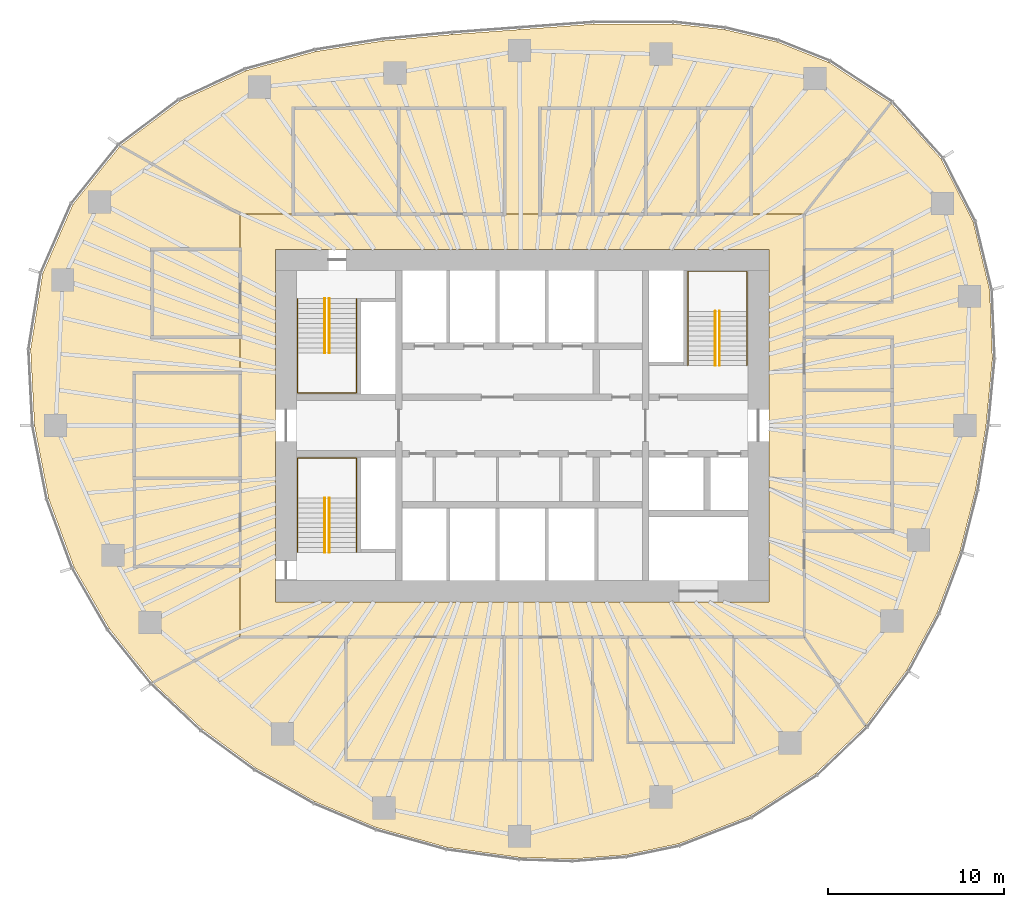
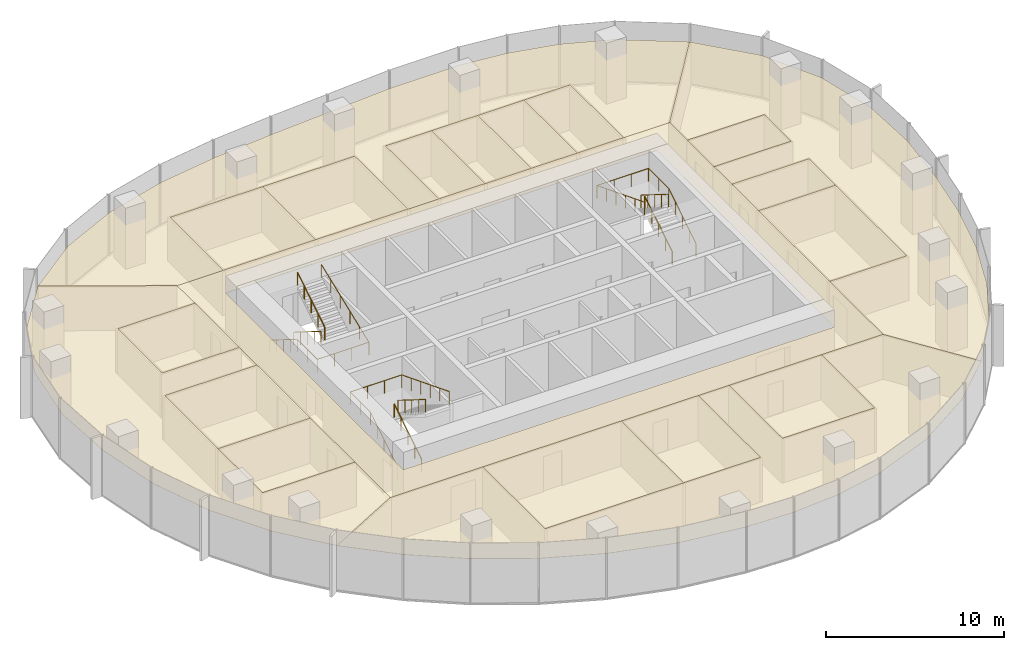
# One storey, part 11 of 11: 20 coverings, 9 railings.
"""IFC4 building model written with IfcOpenShell, lengths in metres."""

from ifc_helpers import new_model, si_unit, direction, frame, origin, origin_2d, place, context, subcontext, project, spatial, polyline, circle, outline, extrude, material, layer, layer_set, type_object, element, save


model = new_model("IFC4")

# Units and contexts
model_context = context("Model", 3, precision=1e-05, world=origin(), true_north=direction((0.0, 1.0)))
body_context = subcontext(model_context, "Body", "Model", "MODEL_VIEW")
ifc_project = project(units=[si_unit("LENGTHUNIT", "METRE"), si_unit("AREAUNIT", "SQUARE_METRE"), si_unit("VOLUMEUNIT", "CUBIC_METRE"), si_unit("PLANEANGLEUNIT", "RADIAN"), si_unit("MASSUNIT", "GRAM", prefix="KILO")], contexts=[model_context])

# Site, building, storey
site_placement = place(None, origin())
site = spatial("IfcSite", under=ifc_project, at=site_placement, CompositionType="ELEMENT")
building_placement = place(site_placement, origin())
building = spatial("IfcBuilding", under=site, at=building_placement, Name="Ghaith Harvest Tower", CompositionType="ELEMENT")
storey_placement = place(building_placement, frame((0.0, 0.0, 220.0)))
storey = spatial("IfcBuildingStorey", under=building, at=storey_placement, Name="L48", CompositionType="ELEMENT", Elevation=220.0)

# Coverings
ifc_material_1 = material(Name="Mineral fibre ceiling tile", Category="gypsum")
ifc_layer = layer(ifc_material_1, 0.02001953125)
ifc_layer_set = layer_set([ifc_layer], Name="CEILING C1")
covering_type = type_object("IfcCoveringType", Name="CEILING C1", PredefinedType="CEILING", material=ifc_layer_set)
covering_1_placement = place(storey_placement, frame((0.0, 0.0, 3.0)))
element("IfcCovering", 1, at=covering_1_placement, inside=storey, type_object=covering_type, Name="Ceiling L48-01", PredefinedType="CEILING", context=body_context, shape_type="SweptSolid", body=[
    extrude(outline(polyline([(-13.0, 12.0), (-7.0, 12.0), (-7.0, 18.0), (-13.0, 18.0), (-13.0, 12.0)])), origin(), (0.0, 0.0, 1.0), 0.02001953125),
])
covering_2_placement = place(storey_placement, frame((0.0, 0.0, 3.0)))
element("IfcCovering", 2, at=covering_2_placement, inside=storey, type_object=covering_type, Name="Ceiling L48-02", PredefinedType="CEILING", context=body_context, shape_type="SweptSolid", body=[
    extrude(outline(polyline([(-7.0, 12.0), (-1.0, 12.0), (-1.0, 18.0), (-7.0, 18.0), (-7.0, 12.0)])), origin(), (0.0, 0.0, 1.0), 0.02001953125),
])
covering_3_placement = place(storey_placement, frame((0.0, 0.0, 3.0)))
element("IfcCovering", 3, at=covering_3_placement, inside=storey, type_object=covering_type, Name="Ceiling L48-03", PredefinedType="CEILING", context=body_context, shape_type="SweptSolid", body=[
    extrude(outline(polyline([(1.0, 12.0), (4.0, 12.0), (4.0, 18.0), (1.0, 18.0), (1.0, 12.0)])), origin(), (0.0, 0.0, 1.0), 0.02001953125),
])
covering_4_placement = place(storey_placement, frame((0.0, 0.0, 3.0)))
element("IfcCovering", 4, at=covering_4_placement, inside=storey, type_object=covering_type, Name="Ceiling L48-04", PredefinedType="CEILING", context=body_context, shape_type="SweptSolid", body=[
    extrude(outline(polyline([(4.0, 12.0), (7.0, 12.0), (7.0, 18.0), (4.0, 18.0), (4.0, 12.0)])), origin(), (0.0, 0.0, 1.0), 0.02001953125),
])
covering_5_placement = place(storey_placement, frame((0.0, 0.0, 3.0)))
element("IfcCovering", 5, at=covering_5_placement, inside=storey, type_object=covering_type, Name="Ceiling L48-05", PredefinedType="CEILING", context=body_context, shape_type="SweptSolid", body=[
    extrude(outline(polyline([(7.0, 12.0), (10.0, 12.0), (10.0, 18.0), (7.0, 18.0), (7.0, 12.0)])), origin(), (0.0, 0.0, 1.0), 0.02001953125),
])
covering_6_placement = place(storey_placement, frame((0.0, 0.0, 3.0)))
element("IfcCovering", 6, at=covering_6_placement, inside=storey, type_object=covering_type, Name="Ceiling L48-06", PredefinedType="CEILING", context=body_context, shape_type="SweptSolid", body=[
    extrude(outline(polyline([(10.0, 12.0), (13.0, 12.0), (13.0, 18.0), (10.0, 18.0), (10.0, 12.0)])), origin(), (0.0, 0.0, 1.0), 0.02001953125),
])
covering_7_placement = place(storey_placement, frame((0.0, 0.0, 3.0)))
element("IfcCovering", 7, at=covering_7_placement, inside=storey, type_object=covering_type, Name="Ceiling L48-07", PredefinedType="CEILING", context=body_context, shape_type="SweptSolid", body=[
    extrude(outline(polyline([(-10.0, -19.0), (-1.0, -19.0), (-1.0, -12.0), (-10.0, -12.0), (-10.0, -19.0)])), origin(), (0.0, 0.0, 1.0), 0.02001953125),
])
covering_8_placement = place(storey_placement, frame((0.0, 0.0, 3.0)))
element("IfcCovering", 8, at=covering_8_placement, inside=storey, type_object=covering_type, Name="Ceiling L48-08", PredefinedType="CEILING", context=body_context, shape_type="SweptSolid", body=[
    extrude(outline(polyline([(-1.0, -19.0), (4.0, -19.0), (4.0, -12.0), (-1.0, -12.0), (-1.0, -19.0)])), origin(), (0.0, 0.0, 1.0), 0.02001953125),
])
covering_9_placement = place(storey_placement, frame((0.0, 0.0, 3.0)))
element("IfcCovering", 9, at=covering_9_placement, inside=storey, type_object=covering_type, Name="Ceiling L48-09", PredefinedType="CEILING", context=body_context, shape_type="SweptSolid", body=[
    extrude(outline(polyline([(6.0, -18.0), (12.0, -18.0), (12.0, -12.0), (6.0, -12.0), (6.0, -18.0)])), origin(), (0.0, 0.0, 1.0), 0.02001953125),
])
covering_10_placement = place(storey_placement, frame((0.0, 0.0, 3.0)))
element("IfcCovering", 10, at=covering_10_placement, inside=storey, type_object=covering_type, Name="Ceiling L48-10", PredefinedType="CEILING", context=body_context, shape_type="SweptSolid", body=[
    extrude(outline(polyline([(16.0, -6.0), (21.0, -6.0), (21.0, 2.0), (16.0, 2.0), (16.0, -6.0)])), origin(), (0.0, 0.0, 1.0), 0.02001953125),
])
covering_11_placement = place(storey_placement, frame((0.0, 0.0, 3.0)))
element("IfcCovering", 11, at=covering_11_placement, inside=storey, type_object=covering_type, Name="Ceiling L48-11", PredefinedType="CEILING", context=body_context, shape_type="SweptSolid", body=[
    extrude(outline(polyline([(16.0, 2.0), (21.0, 2.0), (21.0, 5.0), (16.0, 5.0), (16.0, 2.0)])), origin(), (0.0, 0.0, 1.0), 0.02001953125),
])
covering_12_placement = place(storey_placement, frame((0.0, 0.0, 3.0)))
element("IfcCovering", 12, at=covering_12_placement, inside=storey, type_object=covering_type, Name="Ceiling L48-12", PredefinedType="CEILING", context=body_context, shape_type="SweptSolid", body=[
    extrude(outline(polyline([(-22.0, -8.0), (-16.0, -8.0), (-16.0, -3.0), (-22.0, -3.0), (-22.0, -8.0)])), origin(), (0.0, 0.0, 1.0), 0.02001953125),
])
covering_13_placement = place(storey_placement, frame((0.0, 0.0, 3.0)))
element("IfcCovering", 13, at=covering_13_placement, inside=storey, type_object=covering_type, Name="Ceiling L48-13", PredefinedType="CEILING", context=body_context, shape_type="SweptSolid", body=[
    extrude(outline(polyline([(-22.0, -3.0), (-16.0, -3.0), (-16.0, 3.0), (-22.0, 3.0), (-22.0, -3.0)])), origin(), (0.0, 0.0, 1.0), 0.02001953125),
])
covering_14_placement = place(storey_placement, frame((0.0, 0.0, 3.0)))
element("IfcCovering", 14, at=covering_14_placement, inside=storey, type_object=covering_type, Name="Ceiling L48-14", PredefinedType="CEILING", context=body_context, shape_type="SweptSolid", body=[
    extrude(outline(polyline([(16.0, 7.0), (21.0, 7.0), (21.0, 10.0), (16.0, 10.0), (16.0, 7.0)])), origin(), (0.0, 0.0, 1.0), 0.02001953125),
])
covering_15_placement = place(storey_placement, frame((0.0, 0.0, 3.0)))
element("IfcCovering", 15, at=covering_15_placement, inside=storey, type_object=covering_type, Name="Ceiling L48-15", PredefinedType="CEILING", context=body_context, shape_type="SweptSolid", body=[
    extrude(outline(polyline([(-21.0, 5.0), (-16.0, 5.0), (-16.0, 10.0), (-21.0, 10.0), (-21.0, 5.0)])), origin(), (0.0, 0.0, 1.0), 0.02001953125),
])
covering_16_placement = place(storey_placement, frame((0.0, 0.0, 3.0)))
element("IfcCovering", 16, at=covering_16_placement, inside=storey, type_object=covering_type, Name="Ceiling L48-C1", PredefinedType="CEILING", context=body_context, shape_type="SweptSolid", body=[
    extrude(outline(polyline([(-16.0, 12.0), (16.0, 12.0), (16.0, -12.0), (-16.0, -12.0), (-16.0, 12.0)]), holes=[polyline([(14.0, -10.0), (14.0, 10.0), (-14.0, 10.0), (-14.0, -10.0), (14.0, -10.0)])]), origin(), (0.0, 0.0, 1.0), 0.02001953125),
])
covering_17_placement = place(storey_placement, frame((0.0, 0.0, 3.0)))
element("IfcCovering", 17, at=covering_17_placement, inside=storey, type_object=covering_type, Name="Ceiling L48-N1", PredefinedType="CEILING", context=body_context, shape_type="SweptSolid", body=[
    extrude(outline(polyline([(-19.408203125, 18.41650390625), (-15.6474609375, 20.147705078125), (-11.694580078125, 21.2314453125), (-7.8837890625, 21.827880859375), (-3.963134765625, 22.192138671875), (-0.15380859375, 22.470458984375), (4.03857421875, 22.78125), (8.522216796875, 22.796875), (11.47265625, 22.47265625), (14.460693359375, 21.771484375), (17.382080078125, 20.612548828125), (20.923095703125, 18.295166015625), (16.0, 12.0), (13.0, 12.0), (13.0, 18.0), (1.0, 18.0), (1.0, 12.0), (-1.0, 12.0), (-1.0, 18.0), (-13.0, 18.0), (-13.0, 12.0), (-16.0, 12.0), (-22.809814453125, 15.87109375), (-19.408203125, 18.41650390625)])), origin(), (0.0, 0.0, 1.0), 0.02001953125),
])
covering_18_placement = place(storey_placement, frame((0.0, 0.0, 3.0)))
element("IfcCovering", 18, at=covering_18_placement, inside=storey, type_object=covering_type, Name="Ceiling L48-E1", PredefinedType="CEILING", context=body_context, shape_type="SweptSolid", body=[
    extrude(outline(polyline([(23.77294921875, 15.12939453125), (25.597900390625, 11.55615234375), (26.531005859375, 7.668212890625), (26.685791015625, 3.779052734375), (26.324951171875, 0.0), (25.734375, -3.644287109375), (24.840576171875, -7.179443359375), (23.548828125, -10.631103515625), (21.821533203125, -13.887451171875), (19.48388671875, -17.036865234375), (16.0, -12.0), (16.0, -6.0), (21.0, -6.0), (21.0, 5.0), (16.0, 5.0), (16.0, 7.0), (21.0, 7.0), (21.0, 10.0), (16.0, 10.0), (16.0, 12.0), (20.923095703125, 18.295166015625), (23.77294921875, 15.12939453125)])), origin(), (0.0, 0.0, 1.0), 0.02001953125),
])
covering_19_placement = place(storey_placement, frame((0.0, 0.0, 3.0)))
element("IfcCovering", 19, at=covering_19_placement, inside=storey, type_object=covering_type, Name="Ceiling L48-S1", PredefinedType="CEILING", context=body_context, shape_type="SweptSolid", body=[
    extrude(outline(polyline([(16.651611328125, -19.746337890625), (12.949462890625, -22.1435546875), (8.8740234375, -23.73779296875), (5.865234375, -24.3662109375), (2.833984375, -24.602294921875), (-0.167724609375, -24.505126953125), (-4.27490234375, -23.9375), (-8.2451171875, -22.82861328125), (-11.75732421875, -21.345703125), (-15.10400390625, -19.447998046875), (-18.15087890625, -17.223388671875), (-20.963134765625, -14.586181640625), (-16.0, -12.0), (-10.0, -12.0), (-10.0, -19.0), (4.0, -19.0), (4.0, -12.0), (6.0, -12.0), (6.0, -18.0), (12.0, -18.0), (12.0, -12.0), (16.0, -12.0), (19.48388671875, -17.036865234375), (16.651611328125, -19.746337890625)])), origin(), (0.0, 0.0, 1.0), 0.02001953125),
])
covering_20_placement = place(storey_placement, frame((0.0, 0.0, 3.0)))
element("IfcCovering", 20, at=covering_20_placement, inside=storey, type_object=covering_type, Name="Ceiling L48-W1", PredefinedType="CEILING", context=body_context, shape_type="SweptSolid", body=[
    extrude(outline(polyline([(-23.425537109375, -11.530517578125), (-25.424072265625, -8.057373046875), (-26.86669921875, -4.155517578125), (-27.675048828125, 0.0), (-27.897216796875, 4.314697265625), (-27.211181640625, 8.623779296875), (-25.491943359375, 12.547607421875), (-22.809814453125, 15.87109375), (-16.0, 12.0), (-16.0, 10.0), (-21.0, 10.0), (-21.0, 5.0), (-16.0, 5.0), (-16.0, 3.0), (-22.0, 3.0), (-22.0, -8.0), (-16.0, -8.0), (-16.0, -12.0), (-20.963134765625, -14.586181640625), (-23.425537109375, -11.530517578125)])), origin(), (0.0, 0.0, 1.0), 0.02001953125),
])

# Railings
ifc_material_2 = material(Name="Steel, black powder-coated", Category="steel")
railing_type = type_object("IfcRailingType", Name="HANDRAIL HR1", PredefinedType="HANDRAIL", material=ifc_material_2)
railing_1_placement = place(storey_placement, frame((-11.199951171875, 7.199951171875, 0.175048828125)))
element("IfcRailing", 21, at=railing_1_placement, inside=storey, type_object=railing_type, Name="Handrail HR1 stair ST1 L48 flight 1 inner", PredefinedType="HANDRAIL", context=body_context, shape_type="SweptSolid", body=[
    extrude(circle(Radius=0.02392578125, at=origin_2d()), frame((0.0, 0.0, 0.8759765625), z_axis=(0.0, -0.847979421464, 0.530029150871), x_axis=(1.0, 0.0, 0.0)), (0.0, 0.0, 1.0), 3.632080078125),
    extrude(circle(Radius=0.02099609375, at=origin_2d()), origin(), (0.0, 0.0, 1.0), 0.851806640625),
    extrude(circle(Radius=0.02099609375, at=origin_2d()), frame((0.0, -0.77001953125, 0.481201171875)), (0.0, 0.0, 1.0), 0.851806640625),
    extrude(circle(Radius=0.02099609375, at=origin_2d()), frame((0.0, -1.5400390625, 0.96240234375)), (0.0, 0.0, 1.0), 0.851806640625),
    extrude(circle(Radius=0.02099609375, at=origin_2d()), frame((0.0, -2.309814453125, 1.44384765625)), (0.0, 0.0, 1.0), 0.851806640625),
    extrude(circle(Radius=0.02099609375, at=origin_2d()), frame((0.0, -3.079833984375, 1.925048828125)), (0.0, 0.0, 1.0), 0.851806640625),
])
railing_2_placement = place(storey_placement, frame((-10.949951171875, 4.1201171875, 2.27490234375)))
element("IfcRailing", 22, at=railing_2_placement, inside=storey, type_object=railing_type, Name="Handrail HR1 stair ST1 L48 flight 2 inner", PredefinedType="HANDRAIL", context=body_context, shape_type="SweptSolid", body=[
    extrude(circle(Radius=0.02392578125, at=origin_2d()), frame((0.0, 0.0, 0.8759765625), z_axis=(0.0, 0.847979421464, 0.530029150871), x_axis=(-1.0, 0.0, 0.0)), (0.0, 0.0, 1.0), 3.632080078125),
    extrude(circle(Radius=0.02099609375, at=origin_2d()), origin(), (0.0, 0.0, 1.0), 0.851806640625),
    extrude(circle(Radius=0.02099609375, at=origin_2d()), frame((0.0, 0.77001953125, 0.481201171875)), (0.0, 0.0, 1.0), 0.851806640625),
    extrude(circle(Radius=0.02099609375, at=origin_2d()), frame((0.0, 1.5400390625, 0.96240234375)), (0.0, 0.0, 1.0), 0.851806640625),
    extrude(circle(Radius=0.02099609375, at=origin_2d()), frame((0.0, 2.309814453125, 1.44384765625)), (0.0, 0.0, 1.0), 0.851806640625),
    extrude(circle(Radius=0.02099609375, at=origin_2d()), frame((0.0, 3.079833984375, 1.925048828125)), (0.0, 0.0, 1.0), 0.851806640625),
])
railing_3_placement = place(storey_placement, frame((-12.75, 7.199951171875, 0.175048828125)))
element("IfcRailing", 23, at=railing_3_placement, inside=storey, type_object=railing_type, Name="Handrail HR1 stair ST1 L48 wall side", PredefinedType="HANDRAIL", context=body_context, shape_type="SweptSolid", body=[
    extrude(circle(Radius=0.02392578125, at=origin_2d()), frame((0.0, 0.0, 0.8759765625), z_axis=(0.0, -0.847979421464, 0.530029150871), x_axis=(1.0, 0.0, 0.0)), (0.0, 0.0, 1.0), 3.632080078125),
    extrude(circle(Radius=0.02392578125, at=origin_2d()), frame((0.0, -3.079833984375, 2.80078125), z_axis=(0.0, -1.0, 0.0), x_axis=(1.0, 0.0, 0.0)), (0.0, 0.0, 1.0), 2.27001953125),
    extrude(circle(Radius=0.02392578125, at=origin_2d()), frame((0.0, -5.349853515625, 2.80078125), z_axis=(1.0, 0.0, 0.0), x_axis=(0.0, 1.0, 0.0)), (0.0, 0.0, 1.0), 3.35009765625),
    extrude(circle(Radius=0.02392578125, at=origin_2d()), frame((3.35009765625, -5.349853515625, 2.80078125), z_axis=(0.0, 0.930862461605, 0.365369781968), x_axis=(-1.0, 0.0, 0.0)), (0.0, 0.0, 1.0), 5.747314453125),
    extrude(circle(Radius=0.02099609375, at=origin_2d()), origin(), (0.0, 0.0, 1.0), 0.851806640625),
    extrude(circle(Radius=0.02099609375, at=origin_2d()), frame((0.0, -0.77001953125, 0.481201171875)), (0.0, 0.0, 1.0), 0.851806640625),
    extrude(circle(Radius=0.02099609375, at=origin_2d()), frame((0.0, -1.5400390625, 0.96240234375)), (0.0, 0.0, 1.0), 0.851806640625),
    extrude(circle(Radius=0.02099609375, at=origin_2d()), frame((0.0, -2.309814453125, 1.44384765625)), (0.0, 0.0, 1.0), 0.851806640625),
    extrude(circle(Radius=0.02099609375, at=origin_2d()), frame((0.0, -3.079833984375, 1.925048828125)), (0.0, 0.0, 1.0), 0.851806640625),
    extrude(circle(Radius=0.02099609375, at=origin_2d()), frame((0.0, -4.21484375, 1.925048828125)), (0.0, 0.0, 1.0), 0.851806640625),
    extrude(circle(Radius=0.02099609375, at=origin_2d()), frame((0.0, -5.349853515625, 1.925048828125)), (0.0, 0.0, 1.0), 0.851806640625),
    extrude(circle(Radius=0.02099609375, at=origin_2d()), frame((1.11669921875, -5.349853515625, 1.925048828125)), (0.0, 0.0, 1.0), 0.851806640625),
    extrude(circle(Radius=0.02099609375, at=origin_2d()), frame((2.2333984375, -5.349853515625, 1.925048828125)), (0.0, 0.0, 1.0), 0.851806640625),
    extrude(circle(Radius=0.02099609375, at=origin_2d()), frame((3.35009765625, -5.349853515625, 1.925048828125)), (0.0, 0.0, 1.0), 0.851806640625),
    extrude(circle(Radius=0.02099609375, at=origin_2d()), frame((3.35009765625, -4.27978515625, 2.344970703125)), (0.0, 0.0, 1.0), 0.851806640625),
    extrude(circle(Radius=0.02099609375, at=origin_2d()), frame((3.35009765625, -3.2099609375, 2.764892578125)), (0.0, 0.0, 1.0), 0.851806640625),
    extrude(circle(Radius=0.02099609375, at=origin_2d()), frame((3.35009765625, -2.139892578125, 3.18505859375)), (0.0, 0.0, 1.0), 0.851806640625),
    extrude(circle(Radius=0.02099609375, at=origin_2d()), frame((3.35009765625, -1.070068359375, 3.60498046875)), (0.0, 0.0, 1.0), 0.851806640625),
    extrude(circle(Radius=0.02099609375, at=origin_2d()), frame((3.35009765625, 0.0, 4.02490234375)), (0.0, 0.0, 1.0), 0.851806640625),
])
railing_4_placement = place(storey_placement, frame((-11.199951171875, -7.199951171875, 0.175048828125)))
element("IfcRailing", 24, at=railing_4_placement, inside=storey, type_object=railing_type, Name="Handrail HR1 stair ST3 L48 flight 1 inner", PredefinedType="HANDRAIL", context=body_context, shape_type="SweptSolid", body=[
    extrude(circle(Radius=0.02392578125, at=origin_2d()), frame((0.0, 0.0, 0.8759765625), z_axis=(0.0, 0.847979421464, 0.530029150871), x_axis=(-1.0, 0.0, 0.0)), (0.0, 0.0, 1.0), 3.632080078125),
    extrude(circle(Radius=0.02099609375, at=origin_2d()), origin(), (0.0, 0.0, 1.0), 0.851806640625),
    extrude(circle(Radius=0.02099609375, at=origin_2d()), frame((0.0, 0.77001953125, 0.481201171875)), (0.0, 0.0, 1.0), 0.851806640625),
    extrude(circle(Radius=0.02099609375, at=origin_2d()), frame((0.0, 1.5400390625, 0.96240234375)), (0.0, 0.0, 1.0), 0.851806640625),
    extrude(circle(Radius=0.02099609375, at=origin_2d()), frame((0.0, 2.309814453125, 1.44384765625)), (0.0, 0.0, 1.0), 0.851806640625),
    extrude(circle(Radius=0.02099609375, at=origin_2d()), frame((0.0, 3.079833984375, 1.925048828125)), (0.0, 0.0, 1.0), 0.851806640625),
])
railing_5_placement = place(storey_placement, frame((-10.949951171875, -4.1201171875, 2.27490234375)))
element("IfcRailing", 25, at=railing_5_placement, inside=storey, type_object=railing_type, Name="Handrail HR1 stair ST3 L48 flight 2 inner", PredefinedType="HANDRAIL", context=body_context, shape_type="SweptSolid", body=[
    extrude(circle(Radius=0.02392578125, at=origin_2d()), frame((0.0, 0.0, 0.8759765625), z_axis=(0.0, -0.847979421464, 0.530029150871), x_axis=(1.0, 0.0, 0.0)), (0.0, 0.0, 1.0), 3.632080078125),
    extrude(circle(Radius=0.02099609375, at=origin_2d()), origin(), (0.0, 0.0, 1.0), 0.851806640625),
    extrude(circle(Radius=0.02099609375, at=origin_2d()), frame((0.0, -0.77001953125, 0.481201171875)), (0.0, 0.0, 1.0), 0.851806640625),
    extrude(circle(Radius=0.02099609375, at=origin_2d()), frame((0.0, -1.5400390625, 0.96240234375)), (0.0, 0.0, 1.0), 0.851806640625),
    extrude(circle(Radius=0.02099609375, at=origin_2d()), frame((0.0, -2.309814453125, 1.44384765625)), (0.0, 0.0, 1.0), 0.851806640625),
    extrude(circle(Radius=0.02099609375, at=origin_2d()), frame((0.0, -3.079833984375, 1.925048828125)), (0.0, 0.0, 1.0), 0.851806640625),
])
railing_6_placement = place(storey_placement, frame((-12.75, -7.199951171875, 0.175048828125)))
element("IfcRailing", 26, at=railing_6_placement, inside=storey, type_object=railing_type, Name="Handrail HR1 stair ST3 L48 wall side", PredefinedType="HANDRAIL", context=body_context, shape_type="SweptSolid", body=[
    extrude(circle(Radius=0.02392578125, at=origin_2d()), frame((0.0, 0.0, 0.8759765625), z_axis=(0.0, 0.847979421464, 0.530029150871), x_axis=(-1.0, 0.0, 0.0)), (0.0, 0.0, 1.0), 3.632080078125),
    extrude(circle(Radius=0.02392578125, at=origin_2d()), frame((0.0, 3.079833984375, 2.80078125), z_axis=(0.0, 1.0, 0.0), x_axis=(-1.0, 0.0, 0.0)), (0.0, 0.0, 1.0), 2.27001953125),
    extrude(circle(Radius=0.02392578125, at=origin_2d()), frame((0.0, 5.349853515625, 2.80078125), z_axis=(1.0, 0.0, 0.0), x_axis=(0.0, 1.0, 0.0)), (0.0, 0.0, 1.0), 3.35009765625),
    extrude(circle(Radius=0.02392578125, at=origin_2d()), frame((3.35009765625, 5.349853515625, 2.80078125), z_axis=(0.0, -0.930862461605, 0.365369781968), x_axis=(1.0, 0.0, 0.0)), (0.0, 0.0, 1.0), 5.747314453125),
    extrude(circle(Radius=0.02099609375, at=origin_2d()), origin(), (0.0, 0.0, 1.0), 0.851806640625),
    extrude(circle(Radius=0.02099609375, at=origin_2d()), frame((0.0, 0.77001953125, 0.481201171875)), (0.0, 0.0, 1.0), 0.851806640625),
    extrude(circle(Radius=0.02099609375, at=origin_2d()), frame((0.0, 1.5400390625, 0.96240234375)), (0.0, 0.0, 1.0), 0.851806640625),
    extrude(circle(Radius=0.02099609375, at=origin_2d()), frame((0.0, 2.309814453125, 1.44384765625)), (0.0, 0.0, 1.0), 0.851806640625),
    extrude(circle(Radius=0.02099609375, at=origin_2d()), frame((0.0, 3.079833984375, 1.925048828125)), (0.0, 0.0, 1.0), 0.851806640625),
    extrude(circle(Radius=0.02099609375, at=origin_2d()), frame((0.0, 4.21484375, 1.925048828125)), (0.0, 0.0, 1.0), 0.851806640625),
    extrude(circle(Radius=0.02099609375, at=origin_2d()), frame((0.0, 5.349853515625, 1.925048828125)), (0.0, 0.0, 1.0), 0.851806640625),
    extrude(circle(Radius=0.02099609375, at=origin_2d()), frame((1.11669921875, 5.349853515625, 1.925048828125)), (0.0, 0.0, 1.0), 0.851806640625),
    extrude(circle(Radius=0.02099609375, at=origin_2d()), frame((2.2333984375, 5.349853515625, 1.925048828125)), (0.0, 0.0, 1.0), 0.851806640625),
    extrude(circle(Radius=0.02099609375, at=origin_2d()), frame((3.35009765625, 5.349853515625, 1.925048828125)), (0.0, 0.0, 1.0), 0.851806640625),
    extrude(circle(Radius=0.02099609375, at=origin_2d()), frame((3.35009765625, 4.27978515625, 2.344970703125)), (0.0, 0.0, 1.0), 0.851806640625),
    extrude(circle(Radius=0.02099609375, at=origin_2d()), frame((3.35009765625, 3.2099609375, 2.764892578125)), (0.0, 0.0, 1.0), 0.851806640625),
    extrude(circle(Radius=0.02099609375, at=origin_2d()), frame((3.35009765625, 2.139892578125, 3.18505859375)), (0.0, 0.0, 1.0), 0.851806640625),
    extrude(circle(Radius=0.02099609375, at=origin_2d()), frame((3.35009765625, 1.070068359375, 3.60498046875)), (0.0, 0.0, 1.0), 0.851806640625),
    extrude(circle(Radius=0.02099609375, at=origin_2d()), frame((3.35009765625, 0.0, 4.02490234375)), (0.0, 0.0, 1.0), 0.851806640625),
])
railing_7_placement = place(storey_placement, frame((11.199951171875, 3.39990234375, 0.175048828125)))
element("IfcRailing", 27, at=railing_7_placement, inside=storey, type_object=railing_type, Name="Handrail HR1 stair ST2 L48 flight 1 inner", PredefinedType="HANDRAIL", context=body_context, shape_type="SweptSolid", body=[
    extrude(circle(Radius=0.02392578125, at=origin_2d()), frame((0.0, 0.0, 0.8759765625), z_axis=(0.0, 0.847998304005, 0.529998940003), x_axis=(-1.0, 0.0, 0.0)), (0.0, 0.0, 1.0), 3.632080078125),
    extrude(circle(Radius=0.02099609375, at=origin_2d()), origin(), (0.0, 0.0, 1.0), 0.851806640625),
    extrude(circle(Radius=0.02099609375, at=origin_2d()), frame((0.0, 0.77001953125, 0.481201171875)), (0.0, 0.0, 1.0), 0.851806640625),
    extrude(circle(Radius=0.02099609375, at=origin_2d()), frame((0.0, 1.5400390625, 0.96240234375)), (0.0, 0.0, 1.0), 0.851806640625),
    extrude(circle(Radius=0.02099609375, at=origin_2d()), frame((0.0, 2.31005859375, 1.44384765625)), (0.0, 0.0, 1.0), 0.851806640625),
    extrude(circle(Radius=0.02099609375, at=origin_2d()), frame((0.0, 3.080078125, 1.925048828125)), (0.0, 0.0, 1.0), 0.851806640625),
])
railing_8_placement = place(storey_placement, frame((10.949951171875, 6.47998046875, 2.27490234375)))
element("IfcRailing", 28, at=railing_8_placement, inside=storey, type_object=railing_type, Name="Handrail HR1 stair ST2 L48 flight 2 inner", PredefinedType="HANDRAIL", context=body_context, shape_type="SweptSolid", body=[
    extrude(circle(Radius=0.02392578125, at=origin_2d()), frame((0.0, 0.0, 0.8759765625), z_axis=(0.0, -0.847998304005, 0.529998940003), x_axis=(1.0, 0.0, 0.0)), (0.0, 0.0, 1.0), 3.632080078125),
    extrude(circle(Radius=0.02099609375, at=origin_2d()), origin(), (0.0, 0.0, 1.0), 0.851806640625),
    extrude(circle(Radius=0.02099609375, at=origin_2d()), frame((0.0, -0.77001953125, 0.481201171875)), (0.0, 0.0, 1.0), 0.851806640625),
    extrude(circle(Radius=0.02099609375, at=origin_2d()), frame((0.0, -1.5400390625, 0.96240234375)), (0.0, 0.0, 1.0), 0.851806640625),
    extrude(circle(Radius=0.02099609375, at=origin_2d()), frame((0.0, -2.31005859375, 1.44384765625)), (0.0, 0.0, 1.0), 0.851806640625),
    extrude(circle(Radius=0.02099609375, at=origin_2d()), frame((0.0, -3.080078125, 1.925048828125)), (0.0, 0.0, 1.0), 0.851806640625),
])
railing_9_placement = place(storey_placement, frame((12.75, 3.39990234375, 0.175048828125)))
element("IfcRailing", 29, at=railing_9_placement, inside=storey, type_object=railing_type, Name="Handrail HR1 stair ST2 L48 wall side", PredefinedType="HANDRAIL", context=body_context, shape_type="SweptSolid", body=[
    extrude(circle(Radius=0.02392578125, at=origin_2d()), frame((0.0, 0.0, 0.8759765625), z_axis=(0.0, 0.847998304005, 0.529998940003), x_axis=(-1.0, 0.0, 0.0)), (0.0, 0.0, 1.0), 3.632080078125),
    extrude(circle(Radius=0.02392578125, at=origin_2d()), frame((0.0, 3.080078125, 2.80078125), z_axis=(0.0, 1.0, 0.0), x_axis=(-1.0, 0.0, 0.0)), (0.0, 0.0, 1.0), 2.27001953125),
    extrude(circle(Radius=0.02392578125, at=origin_2d()), frame((0.0, 5.35009765625, 2.80078125), z_axis=(-1.0, 0.0, 0.0), x_axis=(0.0, -1.0, 0.0)), (0.0, 0.0, 1.0), 3.35009765625),
    extrude(circle(Radius=0.02392578125, at=origin_2d()), frame((-3.35009765625, 5.35009765625, 2.80078125), z_axis=(0.0, -0.930868132128, 0.365355334692), x_axis=(1.0, 0.0, 0.0)), (0.0, 0.0, 1.0), 5.747314453125),
    extrude(circle(Radius=0.02099609375, at=origin_2d()), origin(), (0.0, 0.0, 1.0), 0.851806640625),
    extrude(circle(Radius=0.02099609375, at=origin_2d()), frame((0.0, 0.77001953125, 0.481201171875)), (0.0, 0.0, 1.0), 0.851806640625),
    extrude(circle(Radius=0.02099609375, at=origin_2d()), frame((0.0, 1.5400390625, 0.96240234375)), (0.0, 0.0, 1.0), 0.851806640625),
    extrude(circle(Radius=0.02099609375, at=origin_2d()), frame((0.0, 2.31005859375, 1.44384765625)), (0.0, 0.0, 1.0), 0.851806640625),
    extrude(circle(Radius=0.02099609375, at=origin_2d()), frame((0.0, 3.080078125, 1.925048828125)), (0.0, 0.0, 1.0), 0.851806640625),
    extrude(circle(Radius=0.02099609375, at=origin_2d()), frame((0.0, 4.215087890625, 1.925048828125)), (0.0, 0.0, 1.0), 0.851806640625),
    extrude(circle(Radius=0.02099609375, at=origin_2d()), frame((0.0, 5.35009765625, 1.925048828125)), (0.0, 0.0, 1.0), 0.851806640625),
    extrude(circle(Radius=0.02099609375, at=origin_2d()), frame((-1.11669921875, 5.35009765625, 1.925048828125)), (0.0, 0.0, 1.0), 0.851806640625),
    extrude(circle(Radius=0.02099609375, at=origin_2d()), frame((-2.2333984375, 5.35009765625, 1.925048828125)), (0.0, 0.0, 1.0), 0.851806640625),
    extrude(circle(Radius=0.02099609375, at=origin_2d()), frame((-3.35009765625, 5.35009765625, 1.925048828125)), (0.0, 0.0, 1.0), 0.851806640625),
    extrude(circle(Radius=0.02099609375, at=origin_2d()), frame((-3.35009765625, 4.280029296875, 2.344970703125)), (0.0, 0.0, 1.0), 0.851806640625),
    extrude(circle(Radius=0.02099609375, at=origin_2d()), frame((-3.35009765625, 3.2099609375, 2.764892578125)), (0.0, 0.0, 1.0), 0.851806640625),
    extrude(circle(Radius=0.02099609375, at=origin_2d()), frame((-3.35009765625, 2.14013671875, 3.18505859375)), (0.0, 0.0, 1.0), 0.851806640625),
    extrude(circle(Radius=0.02099609375, at=origin_2d()), frame((-3.35009765625, 1.070068359375, 3.60498046875)), (0.0, 0.0, 1.0), 0.851806640625),
    extrude(circle(Radius=0.02099609375, at=origin_2d()), frame((-3.35009765625, 0.0, 4.02490234375)), (0.0, 0.0, 1.0), 0.851806640625),
])

save(model, "model.ifc")
